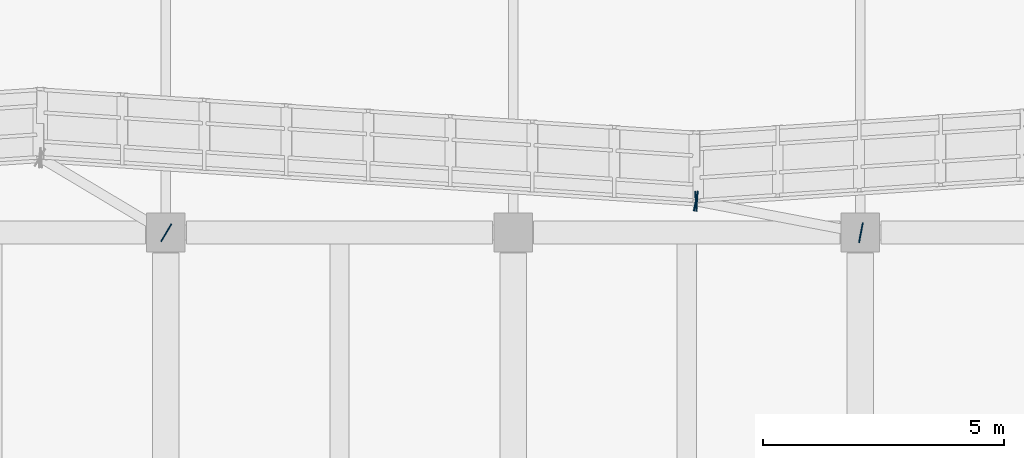
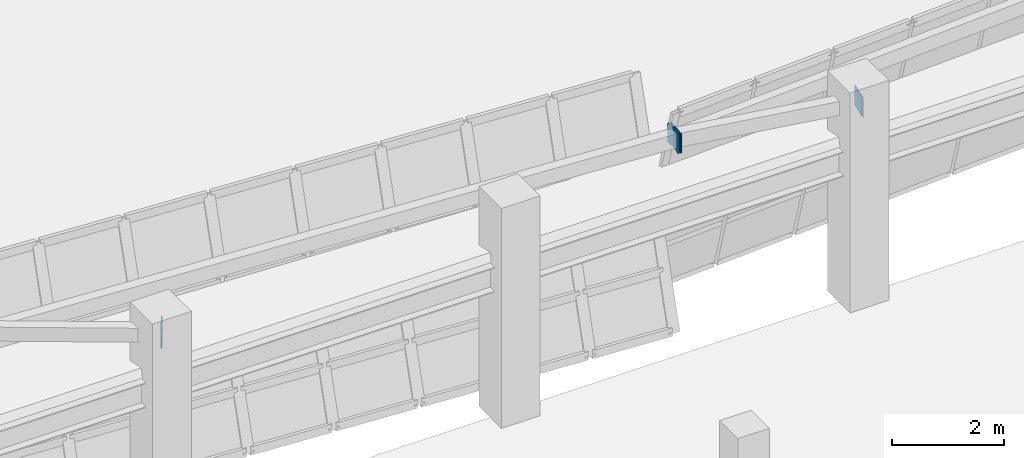
# One storey, part 63 of 79: 5 plates.
"""IFC4 building model written with IfcOpenShell, lengths in metres."""

from ifc_helpers import new_model, si_unit, direction, frame, origin, origin_2d, place, context, subcontext, project, spatial, rectangle, extrude, material, layer, layer_set, type_object, element, save


model = new_model("IFC4")

# Units and contexts
model_context = context("Model", 3, precision=1e-05, world=origin(), true_north=direction((0.0, 1.0)))
body_context = subcontext(model_context, "Body", "Model", "MODEL_VIEW")
ifc_project = project(units=[si_unit("LENGTHUNIT", "METRE"), si_unit("AREAUNIT", "SQUARE_METRE"), si_unit("VOLUMEUNIT", "CUBIC_METRE"), si_unit("PLANEANGLEUNIT", "RADIAN"), si_unit("MASSUNIT", "GRAM", prefix="KILO")], contexts=[model_context])

# Site, building, storey
site_placement = place(None, origin())
site = spatial("IfcSite", under=ifc_project, at=site_placement, CompositionType="ELEMENT")
building_placement = place(site_placement, origin())
building = spatial("IfcBuilding", under=site, at=building_placement, Name="Pellamere Symphony Hall", CompositionType="ELEMENT")
storey_placement = place(building_placement, frame((0.0, 0.0, 10.199951171875)))
storey = spatial("IfcBuildingStorey", under=building, at=storey_placement, Name="L02", CompositionType="ELEMENT", Elevation=10.199951171875)

# Plates
ifc_material = material(Name="Steel CSA G40.21 350W", Category="steel")
ifc_layer = layer(ifc_material, 0.02490234375, Name="Steel CSA G40.21 350W")
ifc_layer_set = layer_set([ifc_layer], Name="Steel CSA G40.21 350W")
plate_type = type_object("IfcPlateType", Name="Steel Connection Plate KP-01 420x420x25", PredefinedType="SHEET", material=ifc_layer_set)
for number, where, z_axis, x_axis, name in (
    (1, (91.387939453125, 94.249267578125, 4.030029296875), (0.0, 0.0, 1.0), (-0.997789886117, -0.066448048599, 0.0), "Crystal Spandrel End Cap Plate CW-CR11-2 (L02)"),
    (2, (94.811767578125, 93.59765625, 4.030029296875), (0.0, 0.0, 1.0), (-0.982221782468, 0.187724186097, 0.0), "Outrigger End Cap Plate 058.1 (L02)"),
    (3, (91.38818359375, 94.252197265625, 4.030029296875), (0.0, 0.0, 1.0), (-0.982221782468, 0.187724186097, 0.0), "Outrigger End Cap Plate 058.2 (L02)"),
    (4, (91.412109375, 94.249267578125, 4.030029296875), (0.0, 0.0, 1.0), (-0.997813020072, 0.066099750182, 0.0), "Crystal Spandrel End Cap Plate CW-CR12-1 (L02)"),
    (5, (80.410400390625, 93.593994140625, 4.030029296875), (0.0, 0.0, 1.0), (-0.858959896931, 0.512042864871, 0.0), "Outrigger End Cap Plate 064.1 (L02)"),
):
    element("IfcPlate", number, at=place(storey_placement, frame(where, z_axis=z_axis, x_axis=x_axis)), inside=storey, type_object=plate_type, Name=name, PredefinedType="SHEET", context=body_context, shape_type="SweptSolid", body=[
        extrude(rectangle(XDim=0.02490234375, YDim=0.419921875, at=origin_2d()), origin(), (0.0, 0.0, 1.0), 0.419921875),
    ])

save(model, "model.ifc")
